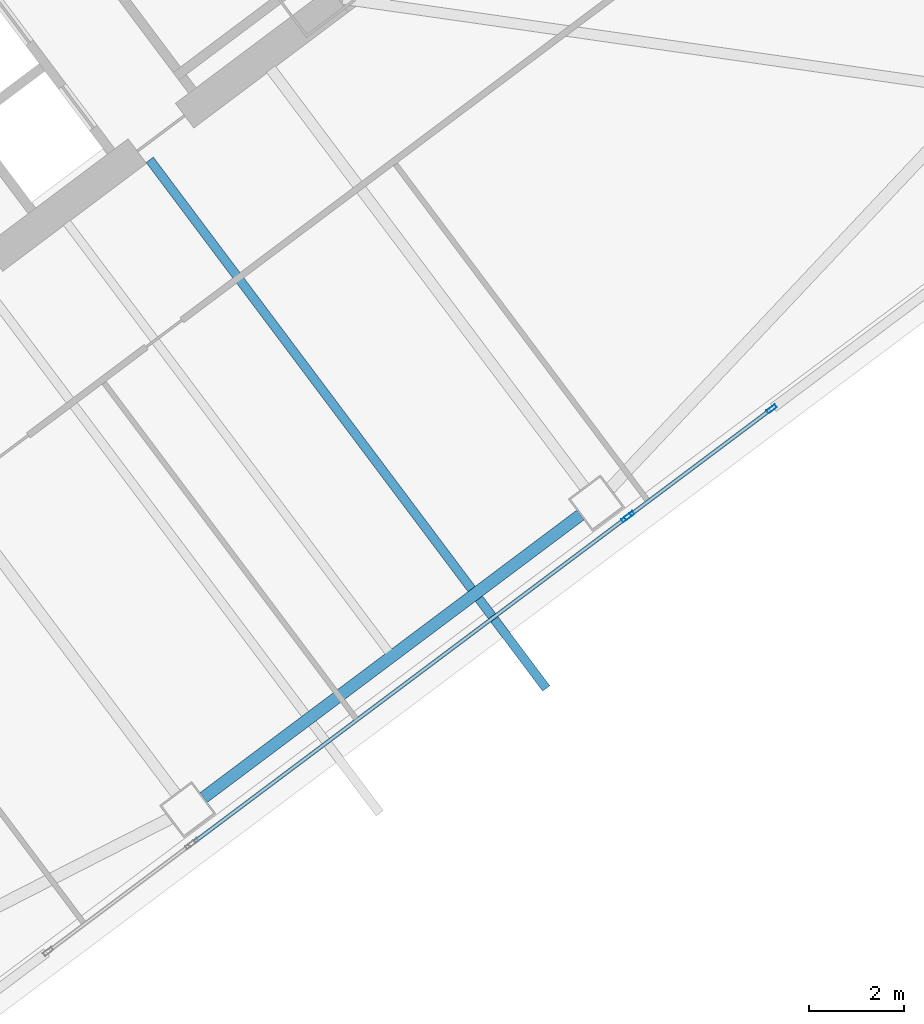
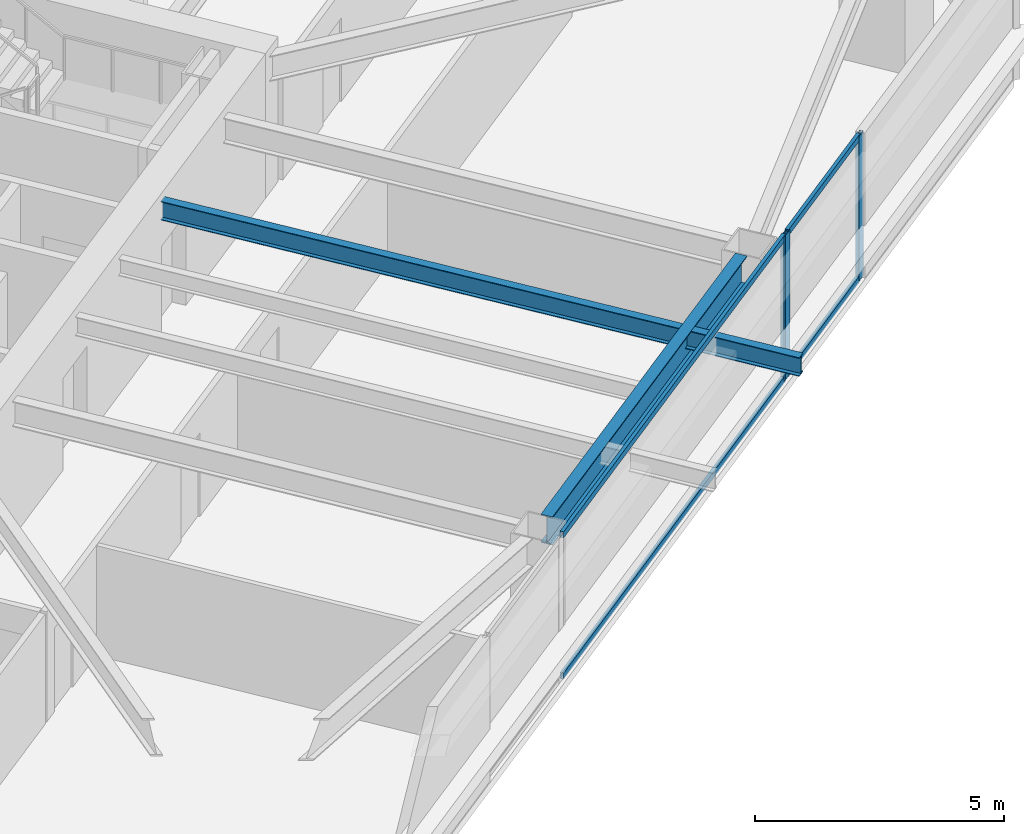
# One storey, part 24 of 44: 7 members, 2 beams, 2 elements without a shape of their own.
"""IFC4 building model written with IfcOpenShell, lengths in metres."""

import ifcopenshell
import ifcopenshell.guid

model = None  # the IFC model being written
_history = None  # IfcOwnerHistory: only IFC2X3 demands one
_inside = {}  # id of a spatial element -> (the spatial element, [elements in it])
_under = {}  # id of a project, library or spatial element -> (it, [spatial elements below it])
_declared = {}  # id of a project -> (the project, [libraries it declares])
_typed = {}  # id of a type object -> (the type object, [elements of that type])
_made_of = {}  # id of a material, layer set ... -> (it, [elements and type objects made of it])


def new_model(schema):
    """Start an empty IFC model of exactly this schema.

    Asked for "IFC4X3", IfcOpenShell would pick the latest addendum, in which some entities
    have other attributes; the version numbers below select the first issue.
    IFC2X3 requires an IfcOwnerHistory on every rooted entity: one is made here for all.
    """
    global model, _history
    if schema == "IFC4X3":
        model = ifcopenshell.file(schema_version=(4, 3, 0, 0))
    else:
        model = ifcopenshell.file(schema=schema)
    _inside.clear()
    _under.clear()
    _declared.clear()
    _typed.clear()
    _made_of.clear()
    _history = None
    if model.schema == "IFC2X3":
        org = make("IfcOrganization", Name="unknown")
        user = make(
            "IfcPersonAndOrganization",
            ThePerson=make("IfcPerson", FamilyName="unknown"),
            TheOrganization=org,
        )
        app = make(
            "IfcApplication",
            ApplicationDeveloper=org,
            Version="unknown",
            ApplicationFullName="unknown",
            ApplicationIdentifier="unknown",
        )
        _history = make(
            "IfcOwnerHistory",
            OwningUser=user,
            OwningApplication=app,
            ChangeAction="ADDED",
            CreationDate=0,
        )
    return model


def make(cls, **values):
    """One entity of the class cls with the attributes given. An attribute that is None is left unset."""
    return model.create_entity(
        cls, **{name: value for name, value in values.items() if value is not None}
    )


def rooted(cls, **values):
    """An entity with a GlobalId (a new one), such as an element, a storey or a relation."""
    return make(cls, GlobalId=ifcopenshell.guid.new(), OwnerHistory=_history, **values)


def si_unit(unit_type, name, prefix=None):
    """IfcSIUnit, for example si_unit("LENGTHUNIT", "METRE", prefix="MILLI")."""
    return make("IfcSIUnit", UnitType=unit_type, Prefix=prefix, Name=name)


def assignment(units):
    """IfcUnitAssignment: the units of a project."""
    return None if units is None else make("IfcUnitAssignment", Units=units)


def point(xyz):
    """IfcCartesianPoint."""
    return None if xyz is None else make("IfcCartesianPoint", Coordinates=xyz)


def direction(xyz):
    """IfcDirection."""
    return None if xyz is None else make("IfcDirection", DirectionRatios=xyz)


def frame(location, z_axis=None, x_axis=None):
    """IfcAxis2Placement3D, a coordinate frame: its origin and axes. An axis left out is left unset."""
    return make(
        "IfcAxis2Placement3D",
        Location=point(location),
        Axis=direction(z_axis),
        RefDirection=direction(x_axis),
    )


def frame_2d(location, x_axis=None):
    """IfcAxis2Placement2D, a coordinate frame in the plane: its origin and x axis."""
    return make(
        "IfcAxis2Placement2D", Location=point(location), RefDirection=direction(x_axis)
    )


def origin():
    """The frame at (0, 0, 0) with its axes left unset."""
    return frame((0.0, 0.0, 0.0))


def origin_2d():
    """The frame at (0, 0) in the plane with its x axis left unset."""
    return frame_2d((0.0, 0.0))


def place(relative_to, where):
    """IfcLocalPlacement: puts the frame where relative to a parent placement (None: the world)."""
    return make(
        "IfcLocalPlacement", PlacementRelTo=relative_to, RelativePlacement=where
    )


def context(
    kind, dimensions, precision=None, world=None, true_north=None, identifier=None
):
    """IfcGeometricRepresentationContext, for example the 3D "Model" context."""
    return make(
        "IfcGeometricRepresentationContext",
        ContextIdentifier=identifier,
        ContextType=kind,
        CoordinateSpaceDimension=dimensions,
        Precision=precision,
        WorldCoordinateSystem=world,
        TrueNorth=true_north,
    )


def subcontext(parent, identifier, kind, view, scale=None):
    """IfcGeometricRepresentationSubContext, for example "Body" below "Model"."""
    return make(
        "IfcGeometricRepresentationSubContext",
        ContextIdentifier=identifier,
        ContextType=kind,
        ParentContext=parent,
        TargetScale=scale,
        TargetView=view,
    )


def project(units=None, contexts=None):
    """IfcProject with its units and contexts."""
    return rooted(
        "IfcProject",
        Name="project",
        RepresentationContexts=contexts,
        UnitsInContext=assignment(units),
    )


def spatial(cls, under=None, at=None, **own):
    """A site, building, storey or space (cls), placed at a placement, below another one or the project."""
    s = rooted(cls, ObjectPlacement=at, **own)
    if under is not None:
        _under.setdefault(under.id(), (under, []))[1].append(s)
    return s


def profile(cls, at=None, kind="AREA", **sizes):
    """A parametric profile (cls). Its sizes go by their IFC names, for example OverallWidth=200.0."""
    return make(cls, ProfileType=kind, Position=at, **sizes)


def hollow_rectangle(**sizes):
    """IfcRectangleHollowProfileDef."""
    return profile("IfcRectangleHollowProfileDef", **sizes)


def i_section(**sizes):
    """IfcIShapeProfileDef."""
    return profile("IfcIShapeProfileDef", **sizes)


def extrude(swept, where, along, depth):
    """IfcExtrudedAreaSolid: the profile swept, set in the frame where, extruded along a direction by depth."""
    return make(
        "IfcExtrudedAreaSolid",
        SweptArea=swept,
        Position=where,
        ExtrudedDirection=direction(along),
        Depth=depth,
    )


def shape(context_of_items, identifier, shape_type, items):
    """IfcShapeRepresentation: the items that make up one representation, for example the "Body"."""
    return make(
        "IfcShapeRepresentation",
        ContextOfItems=context_of_items,
        RepresentationIdentifier=identifier,
        RepresentationType=shape_type,
        Items=items,
    )


def material(Name=None, Category=None):
    """IfcMaterial."""
    return make("IfcMaterial", Name=Name, Category=Category)


def material_profile(
    of_material, cross_section, Name=None, Category=None, Priority=None
):
    """IfcMaterialProfile: a cross section and its material."""
    return make(
        "IfcMaterialProfile",
        Name=Name,
        Material=of_material,
        Profile=cross_section,
        Priority=Priority,
        Category=Category,
    )


def profile_set(profiles, Name=None, composite=None):
    """IfcMaterialProfileSet."""
    return make(
        "IfcMaterialProfileSet",
        Name=Name,
        MaterialProfiles=profiles,
        CompositeProfile=composite,
    )


def made_of(thing, what):
    """Note that an element or type object is made of a material, layer set ...; save() writes the relation."""
    if what is not None:
        _made_of.setdefault(what.id(), (what, []))[1].append(thing)
    return thing


def type_object(cls, material=None, **own):
    """A type object (cls), such as IfcWallType, which elements share."""
    return made_of(rooted(cls, **own), material)


def element(
    cls,
    number,
    at=None,
    inside=None,
    cuts=None,
    type_object=None,
    material=None,
    context=None,
    identifier="Body",
    shape_type=None,
    held_by="IfcProductDefinitionShape",
    body=None,
    shapes=None,
    **own,
):
    """One element of the class cls, such as IfcWall. Its Tag is "e" and its number.

    at: its placement. inside: the storey or other place that contains it. cuts: it is an
    opening in that element (IfcRelVoidsElement). A single representation is given by context,
    identifier, shape_type and body (its items); several are given by shapes. held_by: the class
    of the entity that holds the representations. save() writes the other relations.
    """
    e = rooted(cls, Tag="e%d" % number, ObjectPlacement=at, **own)
    if body is not None:
        shapes = [shape(context, identifier, shape_type, body)]
    if shapes is not None:
        e.Representation = make(held_by, Representations=shapes)
    if inside is not None:
        _inside.setdefault(inside.id(), (inside, []))[1].append(e)
    if cuts is not None:
        rooted(
            "IfcRelVoidsElement", RelatingBuildingElement=cuts, RelatedOpeningElement=e
        )
    if type_object is not None:
        _typed.setdefault(type_object.id(), (type_object, []))[1].append(e)
    return made_of(e, material)


def aggregate(whole, parts):
    """IfcRelAggregates: a whole, such as a stair, and the parts it consists of."""
    return rooted("IfcRelAggregates", RelatingObject=whole, RelatedObjects=parts)


def save(model, path):
    """Write the relations noted so far, then the file.

    IfcRelAggregates (storeys below a building ...), IfcRelContainedInSpatialStructure (elements
    in a storey), IfcRelDefinesByType, IfcRelAssociatesMaterial and IfcRelDeclares: one each for
    every whole, place, type object, material and project.
    """
    for whole, parts in _under.values():
        aggregate(whole, parts)
    for where, things in _inside.values():
        rooted(
            "IfcRelContainedInSpatialStructure",
            RelatedElements=things,
            RelatingStructure=where,
        )
    for kind, things in _typed.values():
        rooted("IfcRelDefinesByType", RelatedObjects=things, RelatingType=kind)
    for what, things in _made_of.values():
        rooted("IfcRelAssociatesMaterial", RelatedObjects=things, RelatingMaterial=what)
    for by, libraries in _declared.values():
        rooted("IfcRelDeclares", RelatingContext=by, RelatedDefinitions=libraries)
    model.write(path)


model = new_model("IFC4")

# Units and contexts
model_context = context("Model", 3, precision=1e-05, world=origin(), true_north=direction((0.0, 1.0)))
body_context = subcontext(model_context, "Body", "Model", "MODEL_VIEW")
ifc_project = project(units=[si_unit("LENGTHUNIT", "METRE"), si_unit("AREAUNIT", "SQUARE_METRE"), si_unit("VOLUMEUNIT", "CUBIC_METRE"), si_unit("PLANEANGLEUNIT", "RADIAN"), si_unit("MASSUNIT", "GRAM", prefix="KILO")], contexts=[model_context])

# Site, building, storey
site_placement = place(None, origin())
site = spatial("IfcSite", under=ifc_project, at=site_placement, CompositionType="ELEMENT")
building_placement = place(site_placement, origin())
building = spatial("IfcBuilding", under=site, at=building_placement, Name="Tashvorn Skyway Center", CompositionType="ELEMENT")
storey_placement = place(building_placement, frame((0.0, 0.0, 74.300048828125)))
storey = spatial("IfcBuildingStorey", under=building, at=storey_placement, Name="L19", CompositionType="ELEMENT", Elevation=74.300048828125)

# Beams
ifc_material_1 = material(Name="Steel ASTM A992 Grade 50", Category="steel")
ifc_material_profile_1 = material_profile(ifc_material_1, i_section(OverallWidth=0.19091796875, OverallDepth=0.4599609375, WebThickness=0.010009765625, FlangeThickness=0.01611328125, at=origin_2d()), Name="W18X55")
ifc_profile_set_1 = profile_set([ifc_material_profile_1], Name="Steel ASTM A992 Grade 50")
beam_type_1 = type_object("IfcBeamType", Name="BM-JOIST-W18X55", PredefinedType="JOIST", material=ifc_profile_set_1)
beam_1_placement = place(storey_placement, frame((120.427978515625, 27.095947265625, 3.119873046875), z_axis=(0.600002796153, -0.799997902878, 0.0), x_axis=(0.799997902878, 0.600002796153, 0.0)))
element("IfcBeam", 1, at=beam_1_placement, inside=storey, type_object=beam_type_1, Name="Tower 2 L20 Terrace Cantilever Outlooker 2", PredefinedType="JOIST", context=body_context, shape_type="SweptSolid", body=[
    extrude(i_section(OverallWidth=0.19091796875, OverallDepth=0.4599609375, WebThickness=0.010009765625, FlangeThickness=0.01611328125, at=origin_2d()), origin(), (0.0, 0.0, 1.0), 13.969970703125),
])
ifc_material_profile_2 = material_profile(ifc_material_1, i_section(OverallWidth=0.256103515625, OverallDepth=0.693115234375, WebThickness=0.014404296875, FlangeThickness=0.023681640625, at=origin_2d()), Name="W27X114")
ifc_profile_set_2 = profile_set([ifc_material_profile_2], Name="Steel ASTM A992 Grade 50")
beam_type_2 = type_object("IfcBeamType", Name="BM-SPANDREL-W27X114", PredefinedType="SPANDREL", material=ifc_profile_set_2)
beam_2_placement = place(storey_placement, frame((121.56591796875, 13.612060546875, 3.00341796875), z_axis=(0.800008824351, 0.599988234018, 0.0), x_axis=(-0.599988234018, 0.800008824351, 0.0)))
element("IfcBeam", 2, at=beam_2_placement, inside=storey, type_object=beam_type_2, Name="Tower 2 L19 Spandrel Beam 02", PredefinedType="SPANDREL", context=body_context, shape_type="SweptSolid", body=[
    extrude(i_section(OverallWidth=0.256103515625, OverallDepth=0.693115234375, WebThickness=0.014404296875, FlangeThickness=0.023681640625, at=origin_2d()), origin(), (0.0, 0.0, 1.0), 9.9599609375),
])

# Curtain wall, members
ifc_material_2 = material(Name="Thermally broken bronze-anodized aluminium 6063-T6", Category="aluminium")
curtain_wall_type = type_object("IfcCurtainWallType", Name="CW-CW-Z2", PredefinedType="NOTDEFINED", material=ifc_material_2)
curtain_wall_1_placement = place(storey_placement, origin())
curtain_wall_1 = element("IfcCurtainWall", 3, at=curtain_wall_1_placement, inside=storey, type_object=curtain_wall_type, Name="Tower 2 L19 South Unitised Curtain Wall Glazing Group 1", PredefinedType="NOTDEFINED")
ifc_material_profile_3 = material_profile(ifc_material_2, hollow_rectangle(XDim=0.080078125, YDim=0.219970703125, WallThickness=0.0048828125, at=origin_2d()), Name="ALU-MULL-80x220")
ifc_profile_set_3 = profile_set([ifc_material_profile_3], Name="Thermally broken bronze-anodized aluminium 6063-T6")
member_type_1 = type_object("IfcMemberType", Name="CWM-CW-Z2", PredefinedType="MULLION", material=ifc_profile_set_3)
member_1_placement = place(storey_placement, frame((133.575927734375, 21.83203125, 0.0), z_axis=(0.0, 0.0, 1.0), x_axis=(0.600000000002, -0.799999999998, 0.0)))
member_1 = element("IfcMember", 4, at=member_1_placement, type_object=member_type_1, Name="CW-Z2 mullion 1", PredefinedType="MULLION", context=body_context, shape_type="SweptSolid", body=[
    extrude(hollow_rectangle(XDim=0.080078125, YDim=0.219970703125, WallThickness=0.0048828125, at=origin_2d()), origin(), (0.0, 0.0, 1.0), 3.550048828125),
])
member_2_placement = place(storey_placement, frame((130.568115234375, 19.575927734375, 0.0), z_axis=(0.0, 0.0, 1.0), x_axis=(0.600000000002, -0.799999999998, 0.0)))
member_2 = element("IfcMember", 5, at=member_2_placement, type_object=member_type_1, Name="CW-Z2 mullion 2", PredefinedType="MULLION", context=body_context, shape_type="SweptSolid", body=[
    extrude(hollow_rectangle(XDim=0.080078125, YDim=0.219970703125, WallThickness=0.0048828125, at=origin_2d()), origin(), (0.0, 0.0, 1.0), 3.550048828125),
])

# Curtain wall, member
curtain_wall_2_placement = place(storey_placement, origin())
curtain_wall_2 = element("IfcCurtainWall", 6, at=curtain_wall_2_placement, inside=storey, type_object=curtain_wall_type, Name="Tower 2 L19 South Unitised Curtain Wall Glazing Group 2", PredefinedType="NOTDEFINED")
member_3_placement = place(storey_placement, frame((130.50390625, 19.528076171875, 0.0), z_axis=(0.0, 0.0, 1.0), x_axis=(0.600000000002, -0.799999999998, 0.0)))
member_3 = element("IfcMember", 7, at=member_3_placement, type_object=member_type_1, Name="CW-Z2 mullion 1", PredefinedType="MULLION", context=body_context, shape_type="SweptSolid", body=[
    extrude(hollow_rectangle(XDim=0.080078125, YDim=0.219970703125, WallThickness=0.0048828125, at=origin_2d()), origin(), (0.0, 0.0, 1.0), 3.550048828125),
])

# Member
ifc_material_profile_4 = material_profile(ifc_material_2, hollow_rectangle(XDim=0.080078125, YDim=0.14990234375, WallThickness=0.00439453125, at=origin_2d()), Name="ALU-TRAN-80x150")
ifc_profile_set_4 = profile_set([ifc_material_profile_4], Name="Thermally broken bronze-anodized aluminium 6063-T6")
member_type_2 = type_object("IfcMemberType", Name="CWT-CW-Z2", PredefinedType="USERDEFINED", material=ifc_profile_set_4)
member_4_placement = place(storey_placement, frame((133.5439453125, 21.80810546875, 0.0400390625), z_axis=(-0.799984076997, -0.600021230084, 0.0), x_axis=(0.600021230084, -0.799984076997, 0.0)))
member_4 = element("IfcMember", 8, at=member_4_placement, type_object=member_type_2, Name="CW-Z2 transom 1.1", ObjectType="TRANSOM", PredefinedType="USERDEFINED", context=body_context, shape_type="SweptSolid", body=[
    extrude(hollow_rectangle(XDim=0.080078125, YDim=0.14990234375, WallThickness=0.00439453125, at=origin_2d()), origin(), (0.0, 0.0, 1.0), 3.679931640625),
])

member_5_placement = place(storey_placement, frame((133.5439453125, 21.80810546875, 3.510009765625), z_axis=(-0.799984076997, -0.600021230084, 0.0), x_axis=(0.600021230084, -0.799984076997, 0.0)))
member_5 = element("IfcMember", 9, at=member_5_placement, type_object=member_type_2, Name="CW-Z2 transom 1.2", ObjectType="TRANSOM", PredefinedType="USERDEFINED", context=body_context, shape_type="SweptSolid", body=[
    extrude(hollow_rectangle(XDim=0.080078125, YDim=0.14990234375, WallThickness=0.00439453125, at=origin_2d()), origin(), (0.0, 0.0, 1.0), 3.679931640625),
])

aggregate(curtain_wall_1, [member_1, member_2, member_4, member_5])

member_6_placement = place(storey_placement, frame((130.471923828125, 19.50390625, 0.0400390625), z_axis=(-0.8, -0.6, 0.0), x_axis=(0.6, -0.8, 0.0)))
member_6 = element("IfcMember", 10, at=member_6_placement, type_object=member_type_2, Name="CW-Z2 transom 1.1", ObjectType="TRANSOM", PredefinedType="USERDEFINED", context=body_context, shape_type="SweptSolid", body=[
    extrude(hollow_rectangle(XDim=0.080078125, YDim=0.14990234375, WallThickness=0.00439453125, at=origin_2d()), origin(), (0.0, 0.0, 1.0), 11.35986328125),
])

member_7_placement = place(storey_placement, frame((130.471923828125, 19.50390625, 3.510009765625), z_axis=(-0.8, -0.6, 0.0), x_axis=(0.6, -0.8, 0.0)))
member_7 = element("IfcMember", 11, at=member_7_placement, type_object=member_type_2, Name="CW-Z2 transom 1.2", ObjectType="TRANSOM", PredefinedType="USERDEFINED", context=body_context, shape_type="SweptSolid", body=[
    extrude(hollow_rectangle(XDim=0.080078125, YDim=0.14990234375, WallThickness=0.00439453125, at=origin_2d()), origin(), (0.0, 0.0, 1.0), 11.35986328125),
])

aggregate(curtain_wall_2, [member_3, member_6, member_7])

save(model, "model.ifc")
